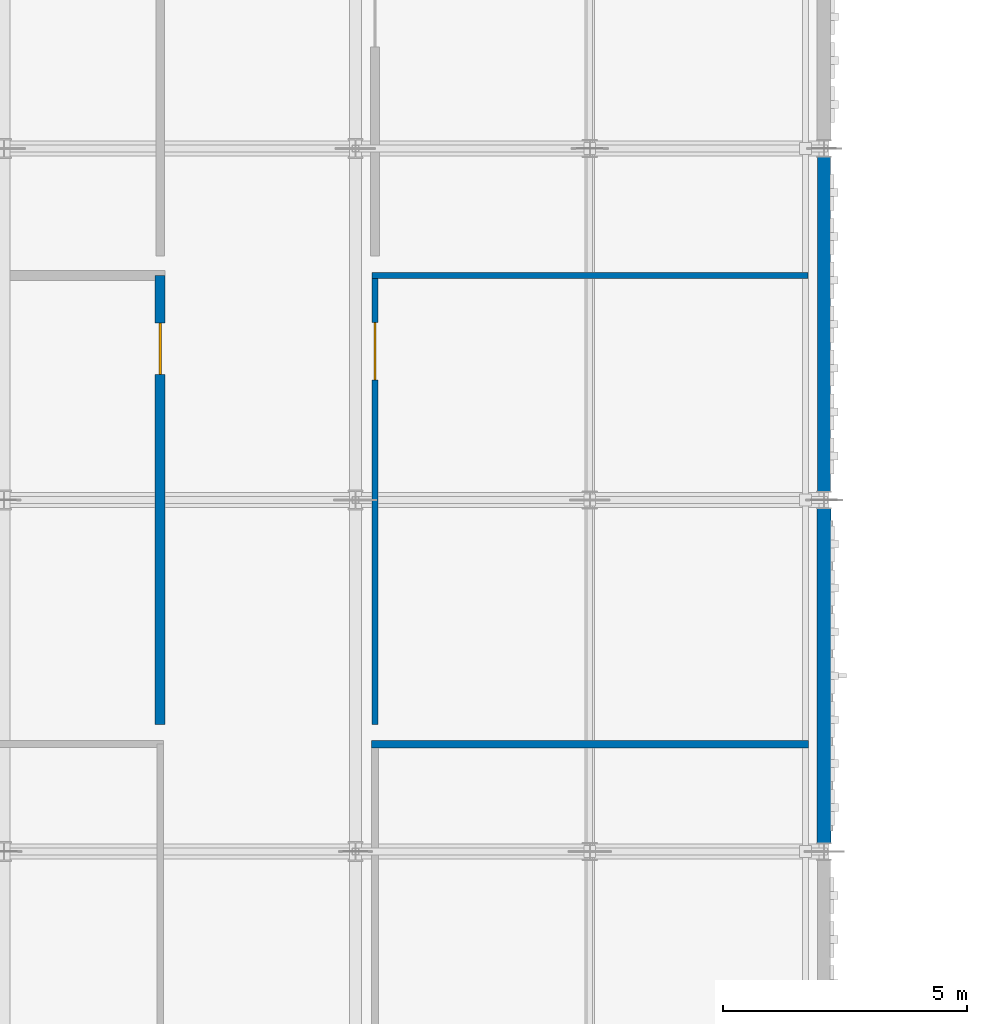
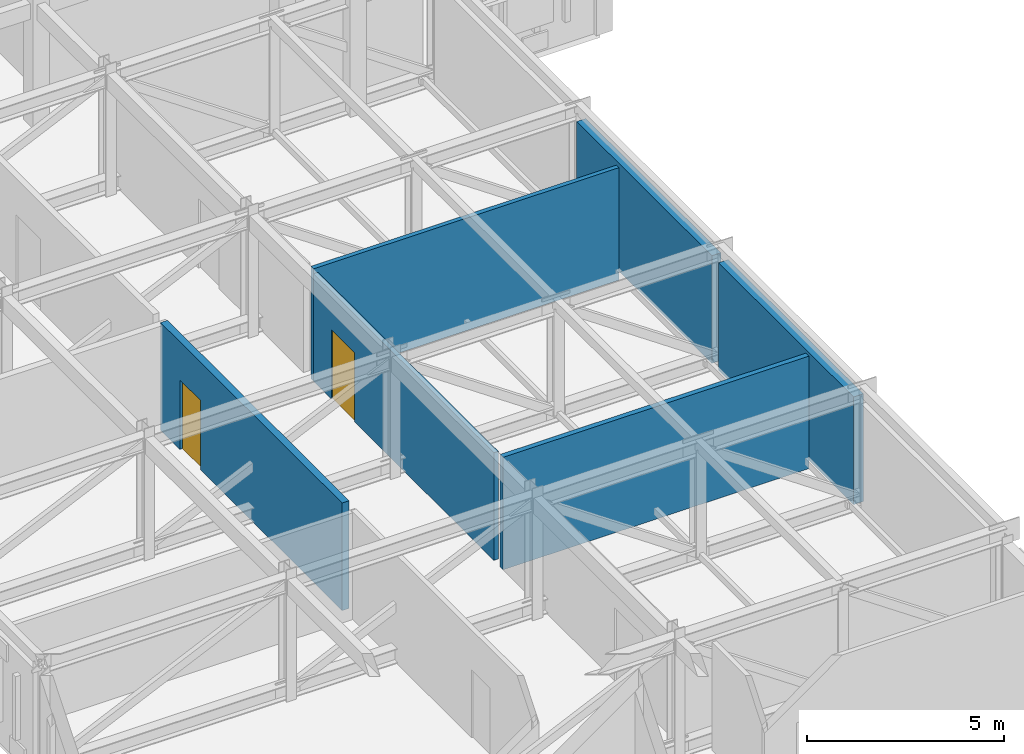
# One storey, part 47 of 79: 6 walls, 2 doors, 2 openings.
"""IFC4 building model written with IfcOpenShell, lengths in metres."""

from ifc_helpers import new_model, si_unit, direction, frame, frame_2d, origin, place, context, subcontext, project, spatial, rectangle, extrude, material, layer, layer_set, type_object, element, fill, save


model = new_model("IFC4")

# Units and contexts
model_context = context("Model", 3, precision=1e-05, world=origin(), true_north=direction((0.0, 1.0)))
body_context = subcontext(model_context, "Body", "Model", "MODEL_VIEW")
ifc_project = project(units=[si_unit("LENGTHUNIT", "METRE"), si_unit("AREAUNIT", "SQUARE_METRE"), si_unit("VOLUMEUNIT", "CUBIC_METRE"), si_unit("PLANEANGLEUNIT", "RADIAN"), si_unit("MASSUNIT", "GRAM", prefix="KILO")], contexts=[model_context])

# Site, building, storey
site_placement = place(None, origin())
site = spatial("IfcSite", under=ifc_project, at=site_placement, CompositionType="ELEMENT")
building_placement = place(site_placement, origin())
building = spatial("IfcBuilding", under=site, at=building_placement, Name="Nzembalo Square Collegiate School", CompositionType="ELEMENT")
storey_placement = place(building_placement, frame((0.0, 0.0, 9.52001953125)))
storey = spatial("IfcBuildingStorey", under=building, at=storey_placement, Name="L02", CompositionType="ELEMENT", Elevation=9.52001953125)

# Walls
ifc_material_1 = material(Name="Concrete C30/37", Category="concrete")
ifc_layer_1 = layer(ifc_material_1, 0.284912109375, Name="Concrete C30/37")
ifc_layer_set_1 = layer_set([ifc_layer_1], Name="Concrete C30/37")
wall_type_1 = type_object("IfcWallType", Name="W05", PredefinedType="SOLIDWALL", material=ifc_layer_set_1)
wall_1_placement = place(storey_placement, frame((32.39990234375, 57.777099609375, 0.0), z_axis=(0.0, 0.0, 1.0), x_axis=(0.0, 1.0, 0.0)))
element("IfcWall", 1, at=wall_1_placement, inside=storey, type_object=wall_type_1, Name="Exterior wall W05 L02", PredefinedType="SOLIDWALL", context=body_context, shape_type="SweptSolid", body=[
    extrude(rectangle(XDim=6.845947265625, YDim=0.284912109375, at=frame_2d((3.4228515625, 0.0))), origin(), (0.0, 0.0, 1.0), 3.3291015625),
])
ifc_material_2 = material(Name="Concrete C30/37", Category="concrete")
ifc_layer_2 = layer(ifc_material_2, 0.264892578125, Name="Concrete C30/37")
ifc_layer_set_2 = layer_set([ifc_layer_2], Name="Concrete C30/37")
wall_type_2 = type_object("IfcWallType", Name="W06", PredefinedType="SOLIDWALL", material=ifc_layer_set_2)
wall_2_placement = place(storey_placement, frame((32.39990234375, 64.97705078125, 0.0), z_axis=(0.0, 0.0, 1.0), x_axis=(0.0, 1.0, 0.0)))
element("IfcWall", 2, at=wall_2_placement, inside=storey, type_object=wall_type_2, Name="Exterior wall W06 L02", PredefinedType="SOLIDWALL", context=body_context, shape_type="SweptSolid", body=[
    extrude(rectangle(XDim=6.845947265625, YDim=0.264892578125, at=frame_2d((3.4228515625, 0.0))), origin(), (0.0, 0.0, 1.0), 3.3291015625),
])
ifc_material_3 = material(Name="Acoustic double-board stud")
ifc_layer_3 = layer(ifc_material_3, 0.14990234375, Name="Acoustic double-board stud")
ifc_layer_set_3 = layer_set([ifc_layer_3], Name="Acoustic double-board stud")
wall_type_3 = type_object("IfcWallType", Name="W17", PredefinedType="PARTITIONING", material=ifc_layer_set_3)
wall_3_placement = place(storey_placement, frame((23.125, 59.800048828125, 0.0), z_axis=(0.0, 0.0, 1.0), x_axis=(1.0, 0.0, 0.0)))
element("IfcWall", 3, at=wall_3_placement, inside=storey, type_object=wall_type_3, Name="Interior partition W17 L02-023-N", PredefinedType="PARTITIONING", context=body_context, shape_type="SweptSolid", body=[
    extrude(rectangle(XDim=8.949951171875, YDim=0.14990234375, at=frame_2d((4.47509765625, 0.0))), origin(), (0.0, 0.0, 1.0), 3.47900390625),
])
ifc_material_4 = material(Name="Gypsum plasterboard stud")
ifc_layer_4 = layer(ifc_material_4, 0.1298828125, Name="Gypsum plasterboard stud")
ifc_layer_set_4 = layer_set([ifc_layer_4], Name="Gypsum plasterboard stud")
wall_type_4 = type_object("IfcWallType", Name="W20", PredefinedType="PARTITIONING", material=ifc_layer_set_4)
wall_4_placement = place(storey_placement, frame((23.135009765625, 69.39990234375, 0.0), z_axis=(0.0, 0.0, 1.0), x_axis=(1.0, 0.0, 0.0)))
element("IfcWall", 4, at=wall_4_placement, inside=storey, type_object=wall_type_4, Name="Interior partition W20 L02-024-N", PredefinedType="PARTITIONING", context=body_context, shape_type="SweptSolid", body=[
    extrude(rectangle(XDim=8.929931640625, YDim=0.1298828125, at=frame_2d((4.46484375, 0.0))), origin(), (0.0, 0.0, 1.0), 3.47900390625),
])

# Wall, opening, door
wall_5_placement = place(storey_placement, frame((23.199951171875, 60.199951171875, 0.0), z_axis=(0.0, 0.0, 1.0), x_axis=(0.0, 1.0, 0.0)))
wall_5 = element("IfcWall", 5, at=wall_5_placement, inside=storey, type_object=wall_type_4, Name="Interior partition W20 L02-024-W", PredefinedType="PARTITIONING", context=body_context, shape_type="SweptSolid", body=[
    extrude(rectangle(XDim=9.199951171875, YDim=0.1298828125, at=frame_2d((4.60009765625, 0.0))), origin(), (0.0, 0.0, 1.0), 3.3291015625),
])
opening_1_placement = place(wall_5_placement, frame((7.05810546875, 0.0, 0.0)))
opening_1 = element("IfcOpeningElement", 6, at=opening_1_placement, cuts=wall_5, Name="Opening D-L02-057", PredefinedType="OPENING", context=body_context, shape_type="SweptSolid", body=[
    extrude(rectangle(XDim=1.179931640625, YDim=2.139892578125, at=frame_2d((0.58984375, 1.06982421875))), frame((0.0, 0.074951171875, 0.0), z_axis=(0.0, -1.0, 0.0), x_axis=(1.0, 0.0, 0.0)), (0.0, 0.0, 1.0), 0.14990234375),
])
ifc_material_5 = material(Name="Wide SEN therapy suite door")
door_type_1 = type_object("IfcDoorType", Name="D18", OperationType="NOTDEFINED", PredefinedType="DOOR", material=ifc_material_5)
door_1_placement = place(opening_1_placement, origin())
door_1 = element("IfcDoor", 7, at=door_1_placement, inside=storey, type_object=door_type_1, Name="Interior door D-L02-057 (Junior Humanities Classroom 2F)", OperationType="SINGLE_SWING_RIGHT", OverallHeight=2.139892578125, OverallWidth=1.179931640625, PredefinedType="DOOR", context=body_context, shape_type="SweptSolid", body=[
    extrude(rectangle(XDim=1.179931640625, YDim=2.139892578125, at=frame_2d((0.58984375, 1.06982421875))), frame((0.0, 0.02490234375, 0.0), z_axis=(0.0, -1.0, 0.0), x_axis=(1.0, 0.0, 0.0)), (0.0, 0.0, 1.0), 0.050048828125),
])
fill(opening_1, door_1)

ifc_material_6 = material(Name="Concrete blockwork C25/30", Category="masonry")
ifc_layer_5 = layer(ifc_material_6, 0.205078125, Name="Concrete blockwork C25/30")
ifc_layer_set_5 = layer_set([ifc_layer_5], Name="Concrete blockwork C25/30")
wall_type_5 = type_object("IfcWallType", Name="W21", PredefinedType="PARTITIONING", material=ifc_layer_set_5)
wall_6_placement = place(storey_placement, frame((18.800048828125, 60.199951171875, 0.0), z_axis=(0.0, 0.0, 1.0), x_axis=(0.0, 1.0, 0.0)))
wall_6 = element("IfcWall", 8, at=wall_6_placement, inside=storey, type_object=wall_type_5, Name="Interior partition W21 L02-020-E", PredefinedType="PARTITIONING", context=body_context, shape_type="SweptSolid", body=[
    extrude(rectangle(XDim=9.199951171875, YDim=0.205078125, at=frame_2d((4.60009765625, 0.0))), origin(), (0.0, 0.0, 1.0), 3.3291015625),
])
opening_2_placement = place(wall_6_placement, frame((7.175048828125, 0.0, 0.0)))
opening_2 = element("IfcOpeningElement", 9, at=opening_2_placement, cuts=wall_6, Name="Opening D-L02-053", PredefinedType="OPENING", context=body_context, shape_type="SweptSolid", body=[
    extrude(rectangle(XDim=1.050048828125, YDim=2.14990234375, at=frame_2d((0.52490234375, 1.074951171875))), frame((0.0, 0.112548828125, 0.0), z_axis=(0.0, -1.0, 0.0), x_axis=(1.0, 0.0, 0.0)), (0.0, 0.0, 1.0), 0.22509765625),
])
ifc_material_7 = material(Name="Fire-rated steel store door", Category="steel")
door_type_2 = type_object("IfcDoorType", Name="FD03", OperationType="NOTDEFINED", PredefinedType="DOOR", material=ifc_material_7)
door_2_placement = place(opening_2_placement, origin())
door_2 = element("IfcDoor", 10, at=door_2_placement, inside=storey, type_object=door_type_2, Name="Interior door D-L02-053 (Junior Year-Group Classroom 2B)", OperationType="SINGLE_SWING_RIGHT", OverallHeight=2.14990234375, OverallWidth=1.050048828125, PredefinedType="DOOR", context=body_context, shape_type="SweptSolid", body=[
    extrude(rectangle(XDim=1.050048828125, YDim=2.14990234375, at=frame_2d((0.52490234375, 1.074951171875))), frame((0.0, 0.02490234375, 0.0), z_axis=(0.0, -1.0, 0.0), x_axis=(1.0, 0.0, 0.0)), (0.0, 0.0, 1.0), 0.050048828125),
])
fill(opening_2, door_2)

save(model, "model.ifc")
